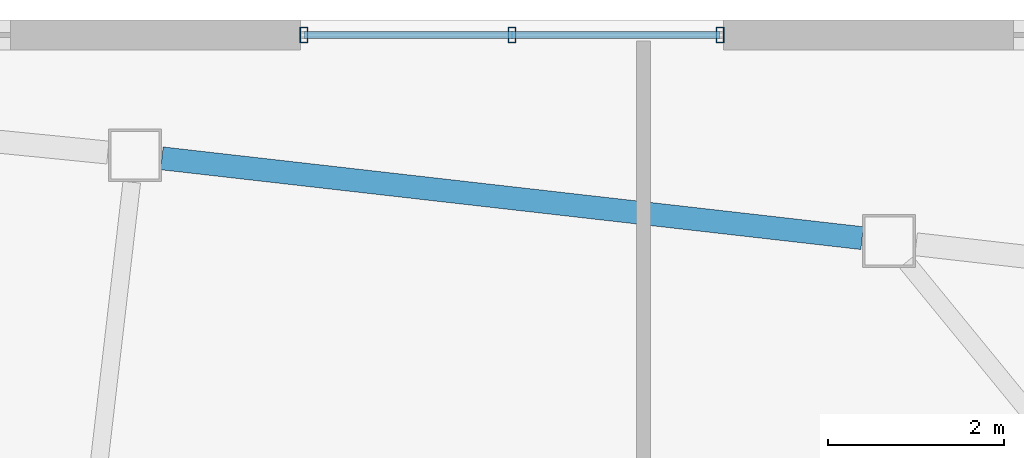
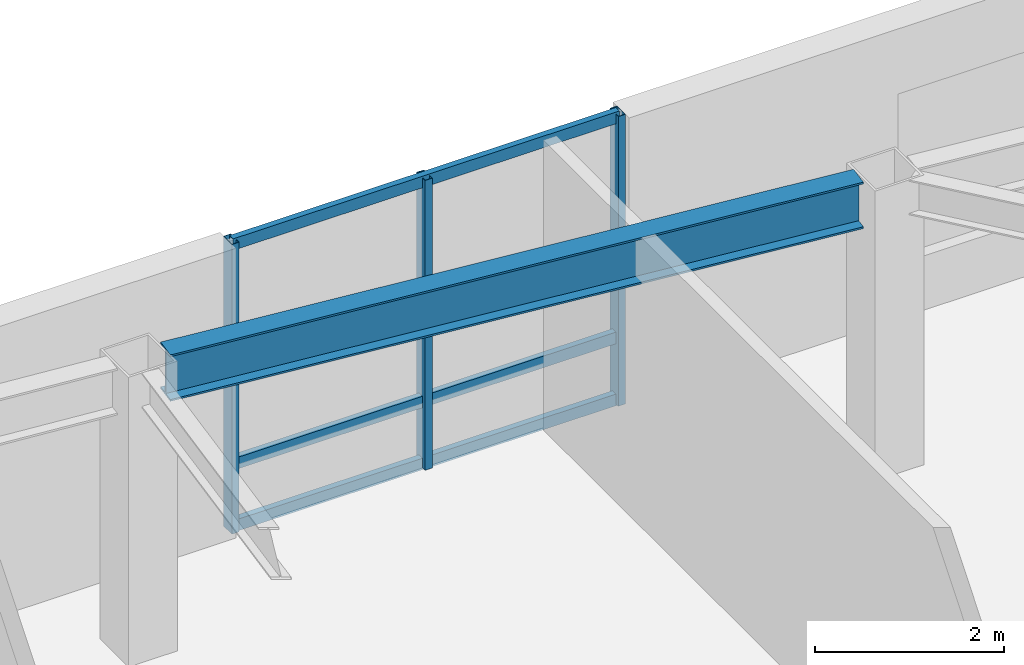
# One storey, part 8 of 18: 6 members, 1 beam, 1 element without a shape of its own.
"""IFC4 building model written with IfcOpenShell, lengths in metres."""

from ifc_helpers import new_model, si_unit, direction, frame, origin, origin_2d, place, context, subcontext, project, spatial, hollow_rectangle, i_section, extrude, material, layer, layer_set, material_profile, profile_set, type_object, element, aggregate, save


model = new_model("IFC4")

# Units and contexts
model_context = context("Model", 3, precision=1e-05, world=origin(), true_north=direction((0.0, 1.0)))
body_context = subcontext(model_context, "Body", "Model", "MODEL_VIEW")
ifc_project = project(units=[si_unit("LENGTHUNIT", "METRE"), si_unit("AREAUNIT", "SQUARE_METRE"), si_unit("VOLUMEUNIT", "CUBIC_METRE"), si_unit("PLANEANGLEUNIT", "RADIAN"), si_unit("MASSUNIT", "GRAM", prefix="KILO")], contexts=[model_context])

# Site, building, storey
site_placement = place(None, origin())
site = spatial("IfcSite", under=ifc_project, at=site_placement, CompositionType="ELEMENT")
building_placement = place(site_placement, origin())
building = spatial("IfcBuilding", under=site, at=building_placement, Name="Tavrogorsk Clinical Tower", CompositionType="ELEMENT")
storey_placement = place(building_placement, frame((0.0, 0.0, 192.199951171875)))
storey = spatial("IfcBuildingStorey", under=building, at=storey_placement, Name="L44", CompositionType="ELEMENT", Elevation=192.199951171875)

# Curtain wall, members
ifc_material_1 = material(Name="Anodised aluminium and triple IGU glazing", Category="aluminium")
ifc_layer = layer(ifc_material_1, 0.179931640625)
ifc_layer_set = layer_set([ifc_layer], Name="Anodised aluminium and triple IGU glazing")
curtain_wall_type = type_object("IfcCurtainWallType", Name="CW2_NorthSlot", PredefinedType="NOTDEFINED", material=ifc_layer_set)
curtain_wall_placement = place(storey_placement, origin())
curtain_wall = element("IfcCurtainWall", 1, at=curtain_wall_placement, inside=storey, type_object=curtain_wall_type, Name="L44 Curtain Wall CW-L44-N-SLOT-2", PredefinedType="NOTDEFINED")
ifc_material_2 = material(Name="Anodised aluminium alloy AW-6060", Category="aluminium")
ifc_material_profile_1 = material_profile(ifc_material_2, hollow_rectangle(XDim=0.090087890625, YDim=0.179931640625, WallThickness=0.00634765625, at=origin_2d()), Name="RHS-180x90x6.3")
ifc_profile_set_1 = profile_set([ifc_material_profile_1], Name="Anodised aluminium alloy AW-6060")
member_type_1 = type_object("IfcMemberType", Name="CwMullion_180x90", PredefinedType="MULLION", material=ifc_profile_set_1)
member_1_placement = place(storey_placement, frame((13.26904296875, 26.929931640625, 0.0), z_axis=(0.0, 0.0, 1.0), x_axis=(-1.0, 0.0, 0.0)))
member_1 = element("IfcMember", 2, at=member_1_placement, type_object=member_type_1, Name="CW-L44-N-SLOT-2 Mullion 1", PredefinedType="MULLION", context=body_context, shape_type="SweptSolid", body=[
    extrude(hollow_rectangle(XDim=0.090087890625, YDim=0.179931640625, WallThickness=0.00634765625, at=origin_2d()), origin(), (0.0, 0.0, 1.0), 3.739990234375),
])
member_2_placement = place(storey_placement, frame((10.91015625, 26.929931640625, 0.0), z_axis=(0.0, 0.0, 1.0), x_axis=(-1.0, 0.0, 0.0)))
member_2 = element("IfcMember", 3, at=member_2_placement, type_object=member_type_1, Name="CW-L44-N-SLOT-2 Mullion 2", PredefinedType="MULLION", context=body_context, shape_type="SweptSolid", body=[
    extrude(hollow_rectangle(XDim=0.090087890625, YDim=0.179931640625, WallThickness=0.00634765625, at=origin_2d()), origin(), (0.0, 0.0, 1.0), 3.739990234375),
])
member_3_placement = place(storey_placement, frame((8.551025390625, 26.929931640625, 0.0), z_axis=(0.0, 0.0, 1.0), x_axis=(-1.0, 0.0, 0.0)))
member_3 = element("IfcMember", 4, at=member_3_placement, type_object=member_type_1, Name="CW-L44-N-SLOT-2 Mullion 3", PredefinedType="MULLION", context=body_context, shape_type="SweptSolid", body=[
    extrude(hollow_rectangle(XDim=0.090087890625, YDim=0.179931640625, WallThickness=0.00634765625, at=origin_2d()), origin(), (0.0, 0.0, 1.0), 3.739990234375),
])
ifc_material_3 = material(Name="Anodised aluminium alloy AW-6060", Category="aluminium")
ifc_material_profile_2 = material_profile(ifc_material_3, hollow_rectangle(XDim=0.074951171875, YDim=0.14990234375, WallThickness=0.0048828125, at=origin_2d()), Name="RHS-150x75x5")
ifc_profile_set_2 = profile_set([ifc_material_profile_2], Name="Anodised aluminium alloy AW-6060")
member_type_2 = type_object("IfcMemberType", Name="CwTransom_150x75", PredefinedType="USERDEFINED", material=ifc_profile_set_2)
member_4_placement = place(storey_placement, frame((13.26904296875, 26.929931640625, 0.050048828125), z_axis=(-1.0, 0.0, 0.0), x_axis=(0.0, -1.0, 0.0)))
member_4 = element("IfcMember", 5, at=member_4_placement, type_object=member_type_2, Name="CW-L44-N-SLOT-2 Transom 1", ObjectType="TRANSOM", PredefinedType="USERDEFINED", context=body_context, shape_type="SweptSolid", body=[
    extrude(hollow_rectangle(XDim=0.074951171875, YDim=0.14990234375, WallThickness=0.0048828125, at=origin_2d()), origin(), (0.0, 0.0, 1.0), 4.718017578125),
])
member_5_placement = place(storey_placement, frame((13.26904296875, 26.929931640625, 0.85009765625), z_axis=(-1.0, 0.0, 0.0), x_axis=(0.0, -1.0, 0.0)))
member_5 = element("IfcMember", 6, at=member_5_placement, type_object=member_type_2, Name="CW-L44-N-SLOT-2 Transom 2", ObjectType="TRANSOM", PredefinedType="USERDEFINED", context=body_context, shape_type="SweptSolid", body=[
    extrude(hollow_rectangle(XDim=0.074951171875, YDim=0.14990234375, WallThickness=0.0048828125, at=origin_2d()), origin(), (0.0, 0.0, 1.0), 4.718017578125),
])
member_6_placement = place(storey_placement, frame((13.26904296875, 26.929931640625, 3.68994140625), z_axis=(-1.0, 0.0, 0.0), x_axis=(0.0, -1.0, 0.0)))
member_6 = element("IfcMember", 7, at=member_6_placement, type_object=member_type_2, Name="CW-L44-N-SLOT-2 Transom 3", ObjectType="TRANSOM", PredefinedType="USERDEFINED", context=body_context, shape_type="SweptSolid", body=[
    extrude(hollow_rectangle(XDim=0.074951171875, YDim=0.14990234375, WallThickness=0.0048828125, at=origin_2d()), origin(), (0.0, 0.0, 1.0), 4.718017578125),
])
aggregate(curtain_wall, [member_1, member_2, member_3, member_4, member_5, member_6])

# Beam
ifc_material_4 = material(Name="Structural steel S390", Category="steel")
ifc_material_profile_3 = material_profile(ifc_material_4, i_section(OverallWidth=0.260009765625, OverallDepth=0.60009765625, WebThickness=0.014892578125, FlangeThickness=0.02392578125, at=origin_2d()), Name="B-600x260x15x24")
ifc_profile_set_3 = profile_set([ifc_material_profile_3], Name="Structural steel S390")
beam_type = type_object("IfcBeamType", Name="SpandrelBeam_B600", PredefinedType="SPANDREL", material=ifc_profile_set_3)
beam_placement = place(storey_placement, frame((14.8798828125, 24.626953125, 3.43994140625), z_axis=(-0.993569449752, 0.113224328304, 0.0), x_axis=(-0.113224328304, -0.993569449752, 0.0)))
element("IfcBeam", 8, at=beam_placement, inside=storey, type_object=beam_type, Name="L44 Perimeter Spandrel N3-N4", PredefinedType="SPANDREL", context=body_context, shape_type="SweptSolid", body=[
    extrude(i_section(OverallWidth=0.260009765625, OverallDepth=0.60009765625, WebThickness=0.014892578125, FlangeThickness=0.02392578125, at=origin_2d()), origin(), (0.0, 0.0, 1.0), 7.990966796875),
])

save(model, "model.ifc")
